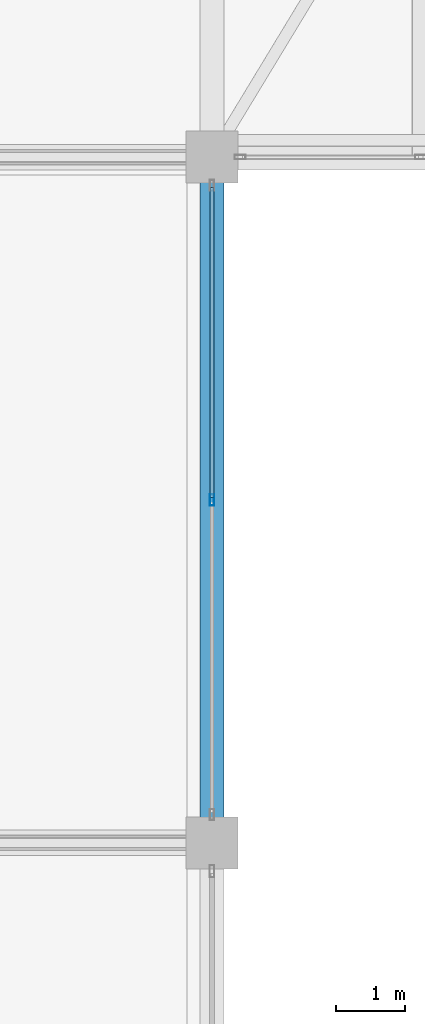
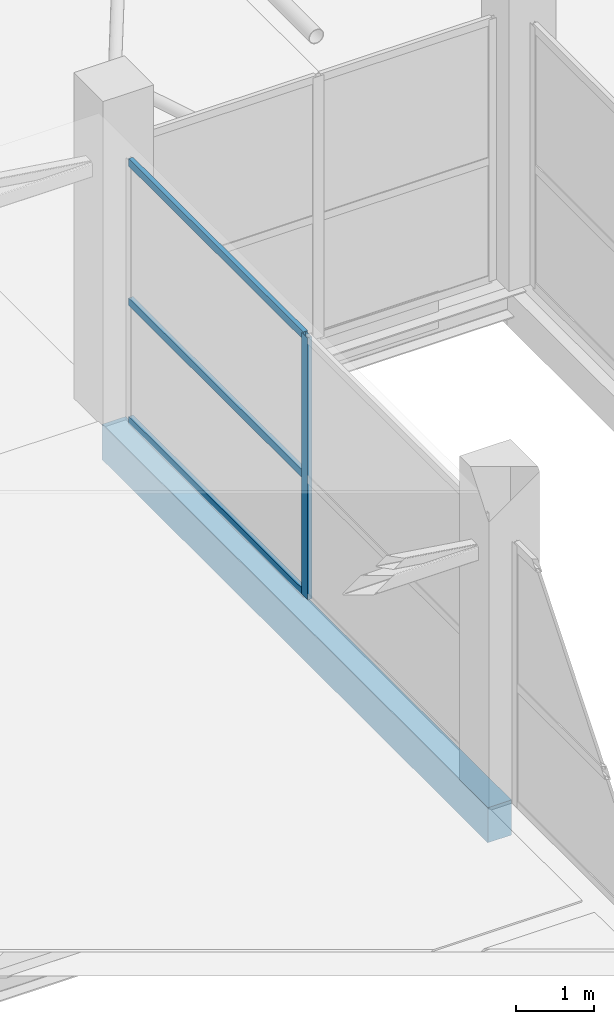
# One storey, part 25 of 67: 4 members, 1 beam, 1 element without a shape of its own.
"""IFC4 building model written with IfcOpenShell, lengths in metres."""

from ifc_helpers import new_model, si_unit, direction, frame, origin, origin_2d, place, context, subcontext, project, spatial, rectangle, hollow_rectangle, extrude, material, layer, layer_set, material_profile, profile_set, type_object, element, aggregate, save


model = new_model("IFC4")

# Units and contexts
model_context = context("Model", 3, precision=1e-05, world=origin(), true_north=direction((0.0, 1.0)))
body_context = subcontext(model_context, "Body", "Model", "MODEL_VIEW")
ifc_project = project(units=[si_unit("LENGTHUNIT", "METRE"), si_unit("AREAUNIT", "SQUARE_METRE"), si_unit("VOLUMEUNIT", "CUBIC_METRE"), si_unit("PLANEANGLEUNIT", "RADIAN"), si_unit("MASSUNIT", "GRAM", prefix="KILO")], contexts=[model_context])

# Site, building, storey
site_placement = place(None, origin())
site = spatial("IfcSite", under=ifc_project, at=site_placement, CompositionType="ELEMENT")
building_placement = place(site_placement, origin())
building = spatial("IfcBuilding", under=site, at=building_placement, Name="Sillaruma Civic Art Gallery", CompositionType="ELEMENT")
storey_placement = place(building_placement, frame((0.0, 0.0, 46.919921875)))
storey = spatial("IfcBuildingStorey", under=building, at=storey_placement, Name="L09", CompositionType="ELEMENT", Elevation=46.919921875)

# Beam
ifc_material_1 = material(Name="Concrete H35 (35 MPa)", Category="concrete")
ifc_material_profile_1 = material_profile(ifc_material_1, rectangle(XDim=0.35009765625, YDim=0.550048828125, at=origin_2d()), Name="RCB350x550")
ifc_profile_set_1 = profile_set([ifc_material_profile_1], Name="Concrete H35 (35 MPa)")
beam_type = type_object("IfcBeamType", Name="BM-SPANDREL-RCB350x550", PredefinedType="SPANDREL", material=ifc_profile_set_1)
beam_placement = place(storey_placement, frame((92.0, 59.39990234375, -0.52490234375), z_axis=(0.0, 1.0, 0.0), x_axis=(-1.0, 0.0, 0.0)))
element("IfcBeam", 1, at=beam_placement, inside=storey, type_object=beam_type, Name="Beam BS-04 (L08:K:7-8)", PredefinedType="SPANDREL", context=body_context, shape_type="SweptSolid", body=[
    extrude(rectangle(XDim=0.35009765625, YDim=0.550048828125, at=origin_2d()), origin(), (0.0, 0.0, 1.0), 9.900146484375),
])

# Curtain wall, members
ifc_material_2 = material(Name="Thermally Broken Extruded Aluminium 6063-T6", Category="aluminium")
ifc_layer = layer(ifc_material_2, 0.159912109375, Name="Thermally Broken Extruded Aluminium 6063-T6")
ifc_layer_set = layer_set([ifc_layer], Name="Thermally Broken Extruded Aluminium 6063-T6")
curtain_wall_type = type_object("IfcCurtainWallType", Name="CW-UNI-65", PredefinedType="NOTDEFINED", material=ifc_layer_set)
curtain_wall_placement = place(storey_placement, origin())
curtain_wall = element("IfcCurtainWall", 2, at=curtain_wall_placement, inside=storey, type_object=curtain_wall_type, Name="Unitised Curtain Wall CW-65 (CW-L09-WBE-5)", PredefinedType="NOTDEFINED")
ifc_material_profile_2 = material_profile(ifc_material_2, hollow_rectangle(XDim=0.06494140625, YDim=0.159912109375, WallThickness=0.00390625, at=origin_2d()), Name="CWM65x160")
ifc_profile_set_2 = profile_set([ifc_material_profile_2], Name="Thermally Broken Extruded Aluminium 6063-T6")
member_type_1 = type_object("IfcMemberType", Name="MEM-MUL-CWM65x160", PredefinedType="MULLION", material=ifc_profile_set_2)
member_1_placement = place(storey_placement, frame((92.0, 64.35009765625, 0.0), z_axis=(0.0, 0.0, 1.0), x_axis=(-1.0, 0.0, 0.0)))
member_1 = element("IfcMember", 3, at=member_1_placement, type_object=member_type_1, Name="CW-65 mullion 2", PredefinedType="MULLION", context=body_context, shape_type="SweptSolid", body=[
    extrude(hollow_rectangle(XDim=0.06494140625, YDim=0.159912109375, WallThickness=0.00390625, at=origin_2d()), origin(), (0.0, 0.0, 1.0), 4.10009765625),
])
ifc_material_profile_3 = material_profile(ifc_material_2, hollow_rectangle(XDim=0.06494140625, YDim=0.1201171875, WallThickness=0.00341796875, at=origin_2d()), Name="CWT65x120")
ifc_profile_set_3 = profile_set([ifc_material_profile_3], Name="Thermally Broken Extruded Aluminium 6063-T6")
member_type_2 = type_object("IfcMemberType", Name="MEM-TRN-CWT65x120", PredefinedType="USERDEFINED", material=ifc_profile_set_3)
member_2_placement = place(storey_placement, frame((92.0, 64.382568359375, 0.032470703125), z_axis=(0.0, 1.0, 0.0), x_axis=(-1.0, 0.0, 0.0)))
member_2 = element("IfcMember", 4, at=member_2_placement, type_object=member_type_2, Name="CW-65 transom 2.1", ObjectType="TRANSOM", PredefinedType="USERDEFINED", context=body_context, shape_type="SweptSolid", body=[
    extrude(hollow_rectangle(XDim=0.06494140625, YDim=0.1201171875, WallThickness=0.00341796875, at=origin_2d()), origin(), (0.0, 0.0, 1.0), 4.4775390625),
])
member_3_placement = place(storey_placement, frame((92.0, 64.382568359375, 1.885986328125), z_axis=(0.0, 1.0, 0.0), x_axis=(-1.0, 0.0, 0.0)))
member_3 = element("IfcMember", 5, at=member_3_placement, type_object=member_type_2, Name="CW-65 transom 2.2", ObjectType="TRANSOM", PredefinedType="USERDEFINED", context=body_context, shape_type="SweptSolid", body=[
    extrude(hollow_rectangle(XDim=0.06494140625, YDim=0.1201171875, WallThickness=0.00341796875, at=origin_2d()), origin(), (0.0, 0.0, 1.0), 4.4775390625),
])
member_4_placement = place(storey_placement, frame((92.0, 64.382568359375, 4.067626953125), z_axis=(0.0, 1.0, 0.0), x_axis=(-1.0, 0.0, 0.0)))
member_4 = element("IfcMember", 6, at=member_4_placement, type_object=member_type_2, Name="CW-65 transom 2.3", ObjectType="TRANSOM", PredefinedType="USERDEFINED", context=body_context, shape_type="SweptSolid", body=[
    extrude(hollow_rectangle(XDim=0.06494140625, YDim=0.1201171875, WallThickness=0.00341796875, at=origin_2d()), origin(), (0.0, 0.0, 1.0), 4.4775390625),
])
aggregate(curtain_wall, [member_1, member_2, member_3, member_4])

save(model, "model.ifc")
